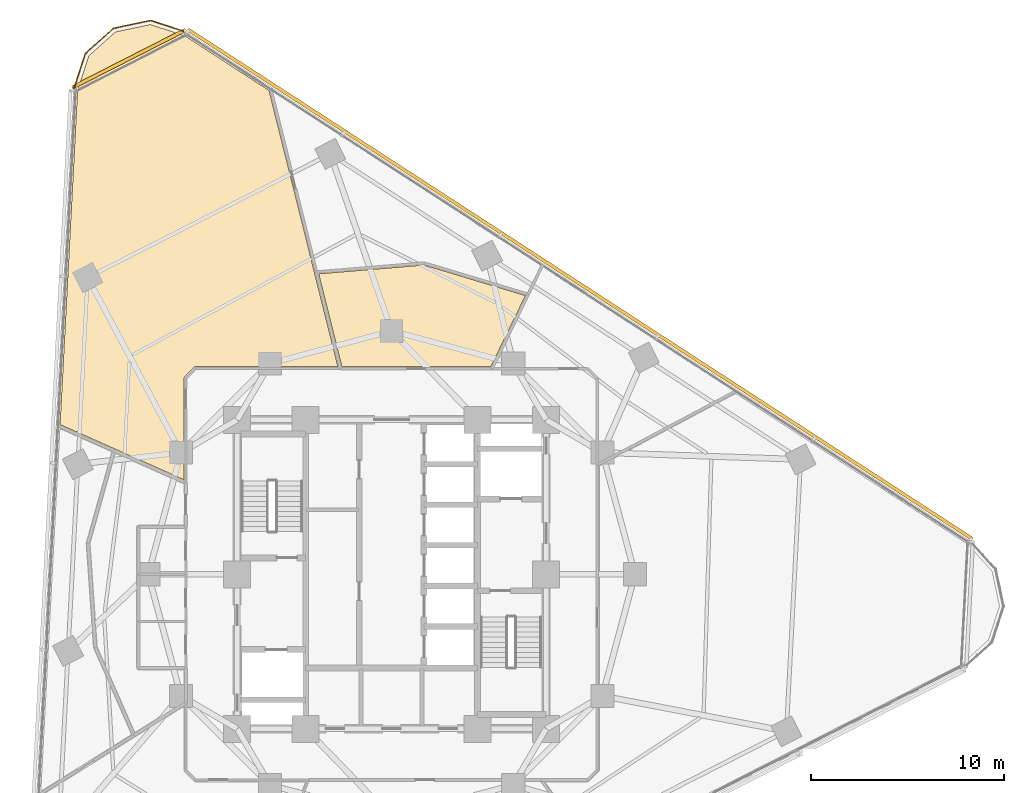
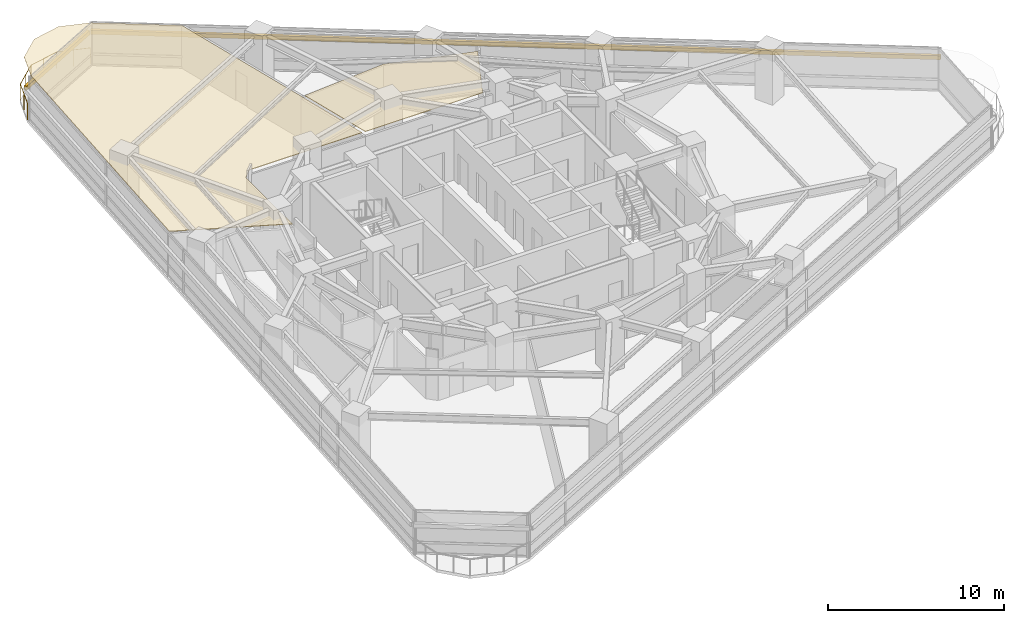
# One storey, part 14 of 14: 2 coverings, 2 shading devices, 1 railing.
"""IFC4 building model written with IfcOpenShell, lengths in metres."""

from ifc_helpers import new_model, si_unit, direction, frame, origin, origin_2d, place, context, subcontext, project, spatial, polyline, rectangle, circle, outline, extrude, material, layer, layer_set, type_object, element, save


model = new_model("IFC4")

# Units and contexts
model_context = context("Model", 3, precision=1e-05, world=origin(), true_north=direction((0.0, 1.0)))
body_context = subcontext(model_context, "Body", "Model", "MODEL_VIEW")
ifc_project = project(units=[si_unit("LENGTHUNIT", "METRE"), si_unit("AREAUNIT", "SQUARE_METRE"), si_unit("VOLUMEUNIT", "CUBIC_METRE"), si_unit("PLANEANGLEUNIT", "RADIAN"), si_unit("MASSUNIT", "GRAM", prefix="KILO")], contexts=[model_context])

# Site, building, storey
site_placement = place(None, origin())
site = spatial("IfcSite", under=ifc_project, at=site_placement, CompositionType="ELEMENT")
building_placement = place(site_placement, origin())
building = spatial("IfcBuilding", under=site, at=building_placement, Name="Terralouvre Media Tower", CompositionType="ELEMENT")
storey_placement = place(building_placement, frame((0.0, 0.0, 138.39990234375)))
storey = spatial("IfcBuildingStorey", under=building, at=storey_placement, Name="L35", CompositionType="ELEMENT", Elevation=138.39990234375)

# Coverings
ifc_material_1 = material(Name="Perforated aluminium acoustic ceiling baffle", Category="aluminium")
ifc_layer_1 = layer(ifc_material_1, 0.0400390625, Name="Perforated Acoustic Metal Tile Ceiling CL-AC1")
ifc_layer_set_1 = layer_set([ifc_layer_1], Name="Perforated aluminium acoustic ceiling baffle")
covering_type = type_object("IfcCoveringType", Name="Perforated Acoustic Metal Tile Ceiling CL-AC1", PredefinedType="CEILING", material=ifc_layer_set_1)
covering_1_placement = place(storey_placement, frame((0.0, 0.0, 2.97998046875), z_axis=(0.0, 0.0, 1.0), x_axis=(0.891006524188, 0.45399049974, 0.0)))
element("IfcCovering", 1, at=covering_1_placement, inside=storey, type_object=covering_type, Name="L35 Chamber Rehearsal Creative Workshop 7 Acoustic Ceiling", PredefinedType="CEILING", context=body_context, shape_type="SweptSolid", body=[
    extrude(outline(polyline([(8.767333984375, 13.5009765625), (3.6982421875, 15.57470703125), (2.58447265625, 10.748291015625), (9.45263671875, 7.248779296875), (12.72412109375, 9.713134765625), (8.767333984375, 13.5009765625)])), origin(), (0.0, 0.0, 1.0), 0.0400390625),
])
covering_2_placement = place(storey_placement, frame((0.0, 0.0, 2.97998046875), z_axis=(0.0, 0.0, 1.0), x_axis=(0.891006524188, 0.45399049974, 0.0)))
element("IfcCovering", 2, at=covering_2_placement, inside=storey, type_object=covering_type, Name="L35 Salon Tea and Pastry Kitchen 9 Acoustic Ceiling", PredefinedType="CEILING", context=body_context, shape_type="SweptSolid", body=[
    extrude(outline(polyline([(-9.823974609375, 12.291015625), (-7.35546875, 9.24267578125), (-4.97021484375, 13.924072265625), (-4.96533203125, 13.9326171875), (-4.959716796875, 13.940673828125), (-4.953369140625, 13.947998046875), (-4.946044921875, 13.954833984375), (-4.9384765625, 13.960693359375), (-4.929931640625, 13.966064453125), (-4.92138671875, 13.97021484375), (-4.912109375, 13.973876953125), (-4.239501953125, 14.1923828125), (-4.230224609375, 14.19482421875), (-4.220458984375, 14.196533203125), (-4.210693359375, 14.197265625), (-4.200927734375, 14.197021484375), (-4.191162109375, 14.195556640625), (-4.181640625, 14.193603515625), (-4.17236328125, 14.1904296875), (-4.163330078125, 14.186279296875), (2.400634765625, 10.841796875), (3.52978515625, 15.734130859375), (5.7158203125, 25.203857421875), (3.11474609375, 29.708984375), (1.7861328125, 31.03759765625), (0.0, 31.515869140625), (-1.7861328125, 31.037353515625), (-3.11474609375, 29.708740234375), (-11.778076171875, 14.703125), (-9.823974609375, 12.291015625)])), origin(), (0.0, 0.0, 1.0), 0.0400390625),
])

# Railing
ifc_material_2 = material(Name="Stainless steel 316 handrail and balustrade", Category="steel")
ifc_layer_2 = layer(ifc_material_2, 0.06005859375, Name="Roof Edge Safety Guardrail GR-ROOF1")
ifc_layer_set_2 = layer_set([ifc_layer_2], Name="Stainless steel 316 handrail and balustrade")
railing_type = type_object("IfcRailingType", Name="Roof Edge Safety Guardrail GR-ROOF1", PredefinedType="GUARDRAIL", material=ifc_layer_set_2)
railing_placement = place(storey_placement, frame((-10.611328125, 28.071044921875, 0.0)))
element("IfcRailing", 3, at=railing_placement, inside=storey, type_object=railing_type, Name="L35 Wind-Corner Perimeter Safety Guardrail C2", PredefinedType="GUARDRAIL", context=body_context, shape_type="SweptSolid", body=[
    extrude(circle(Radius=0.02099609375, at=origin_2d()), frame((0.0, 0.0, 1.12890625), z_axis=(-0.950979313277, 0.309254499918, 0.0), x_axis=(-0.309254499918, -0.950979313277, 0.0)), (0.0, 0.0, 1.0), 1.966552734375),
    extrude(circle(Radius=0.02099609375, at=origin_2d()), frame((-1.8701171875, 0.608154296875, 1.12890625), z_axis=(-0.9781553792, -0.207875092647, 0.0), x_axis=(0.207875092647, -0.9781553792, 0.0)), (0.0, 0.0, 1.0), 1.966064453125),
    extrude(circle(Radius=0.02099609375, at=origin_2d()), frame((-3.793212890625, 0.199462890625, 1.12890625), z_axis=(-0.743084172505, -0.66919796217, 0.0), x_axis=(0.66919796217, -0.743084172505, 0.0)), (0.0, 0.0, 1.0), 1.966064453125),
    extrude(circle(Radius=0.02099609375, at=origin_2d()), frame((-5.254150390625, -1.1162109375, 1.12890625), z_axis=(-0.308768829513, -0.951137114154, 0.0), x_axis=(0.951137114154, -0.308768829513, 0.0)), (0.0, 0.0, 1.0), 1.966552734375),
    extrude(circle(Radius=0.01904296875, at=origin_2d()), origin(), (0.0, 0.0, 1.0), 1.10791015625),
    extrude(circle(Radius=0.01904296875, at=origin_2d()), frame((-0.93505859375, 0.30419921875, 0.0)), (0.0, 0.0, 1.0), 1.10791015625),
    extrude(circle(Radius=0.01904296875, at=origin_2d()), frame((-1.8701171875, 0.608154296875, 0.0)), (0.0, 0.0, 1.0), 1.10791015625),
    extrude(circle(Radius=0.01904296875, at=origin_2d()), frame((-2.83154296875, 0.40380859375, 0.0)), (0.0, 0.0, 1.0), 1.10791015625),
    extrude(circle(Radius=0.01904296875, at=origin_2d()), frame((-3.793212890625, 0.199462890625, 0.0)), (0.0, 0.0, 1.0), 1.10791015625),
    extrude(circle(Radius=0.01904296875, at=origin_2d()), frame((-4.523681640625, -0.45849609375, 0.0)), (0.0, 0.0, 1.0), 1.10791015625),
    extrude(circle(Radius=0.01904296875, at=origin_2d()), frame((-5.254150390625, -1.1162109375, 0.0)), (0.0, 0.0, 1.0), 1.10791015625),
    extrude(circle(Radius=0.01904296875, at=origin_2d()), frame((-5.5576171875, -2.05126953125, 0.0)), (0.0, 0.0, 1.0), 1.10791015625),
    extrude(circle(Radius=0.01904296875, at=origin_2d()), frame((-5.861328125, -2.986572265625, 0.0)), (0.0, 0.0, 1.0), 1.10791015625),
])

# Shading devices
ifc_material_3 = material(Name="Extruded terracotta baguette sunshade louvres", Category="masonry")
shading_device_type = type_object("IfcShadingDeviceType", Name="Terracotta Baguette Sunshade Louvre Screen TB-LV1", PredefinedType="USERDEFINED", material=ifc_material_3)
shading_device_1_placement = place(storey_placement, frame((9.755615234375, 15.022216796875, 2.02392578125), z_axis=(0.0, 0.0, 1.0), x_axis=(-0.838670588944, 0.544639002681, 0.0)))
element("IfcShadingDevice", 4, at=shading_device_1_placement, inside=storey, type_object=shading_device_type, Name="CW-L35-F1 Terracotta Baguette Sunshade Louvre", ObjectType="BAGUETTE", PredefinedType="USERDEFINED", context=body_context, shape_type="SweptSolid", body=[
    extrude(rectangle(XDim=48.39990234375, YDim=0.179931640625, at=origin_2d()), origin(), (0.0, 0.0, 1.0), 0.280029296875),
])
shading_device_2_placement = place(storey_placement, frame((-13.603271484375, 26.697998046875, 2.02392578125), z_axis=(0.0, 0.0, 1.0), x_axis=(-0.891006600184, -0.45399035059, 0.0)))
element("IfcShadingDevice", 5, at=shading_device_2_placement, inside=storey, type_object=shading_device_type, Name="CW-L35-C2 Terracotta Baguette Sunshade Louvre", ObjectType="BAGUETTE", PredefinedType="USERDEFINED", context=body_context, shape_type="SweptSolid", body=[
    extrude(rectangle(XDim=6.581787109375, YDim=0.179931640625, at=origin_2d()), origin(), (0.0, 0.0, 1.0), 0.280029296875),
])

save(model, "model.ifc")
